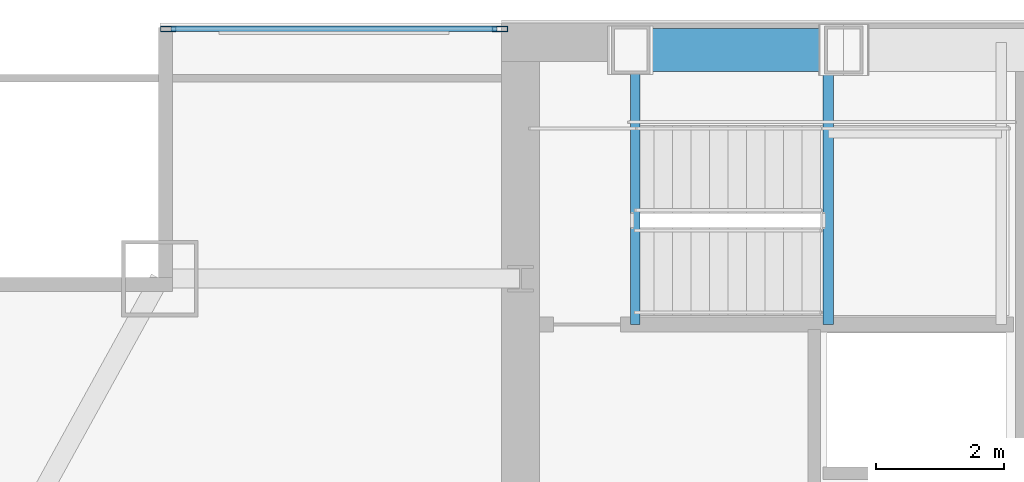
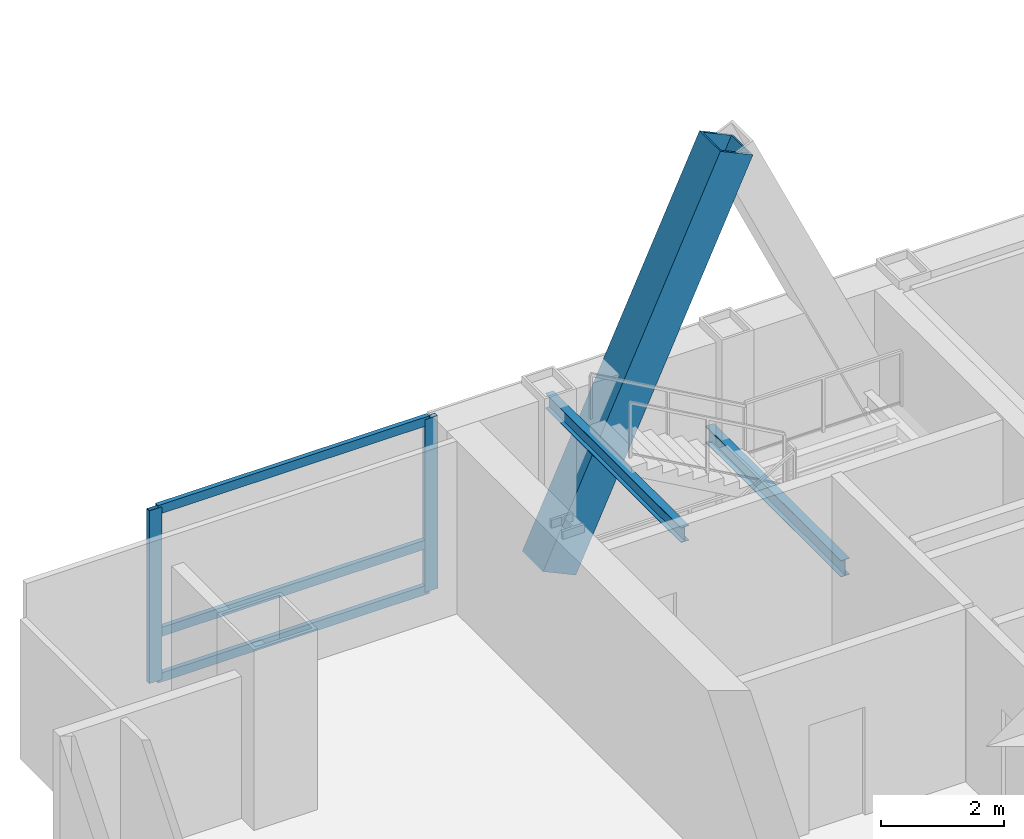
# One storey, part 23 of 32: 6 members, 2 beams, 1 element without a shape of its own.
"""IFC4 building model written with IfcOpenShell, lengths in metres."""

from ifc_helpers import new_model, si_unit, direction, frame, origin, origin_2d, place, context, subcontext, project, spatial, hollow_rectangle, i_section, extrude, material, material_profile, profile_set, type_object, element, aggregate, save


model = new_model("IFC4")

# Units and contexts
model_context = context("Model", 3, precision=1e-05, world=origin(), true_north=direction((0.0, 1.0)))
body_context = subcontext(model_context, "Body", "Model", "MODEL_VIEW")
ifc_project = project(units=[si_unit("LENGTHUNIT", "METRE"), si_unit("AREAUNIT", "SQUARE_METRE"), si_unit("VOLUMEUNIT", "CUBIC_METRE"), si_unit("PLANEANGLEUNIT", "RADIAN"), si_unit("MASSUNIT", "GRAM", prefix="KILO")], contexts=[model_context])

# Site, building, storey
site_placement = place(None, origin())
site = spatial("IfcSite", under=ifc_project, at=site_placement, CompositionType="ELEMENT")
building_placement = place(site_placement, origin())
building = spatial("IfcBuilding", under=site, at=building_placement, Name="Khoronbel Lancet Exchange", CompositionType="ELEMENT")
storey_placement = place(building_placement, frame((0.0, 0.0, 231.800048828125)))
storey = spatial("IfcBuildingStorey", under=building, at=storey_placement, Name="L59", CompositionType="ELEMENT", Elevation=231.800048828125)

# Beams
ifc_material_1 = material(Name="Steel S355", Category="steel")
ifc_material_profile_1 = material_profile(ifc_material_1, i_section(OverallWidth=0.159912109375, OverallDepth=0.330078125, WebThickness=0.007568359375, FlangeThickness=0.011474609375, at=origin_2d()), Name="IPE 330")
ifc_profile_set_1 = profile_set([ifc_material_profile_1], Name="Steel S355")
beam_type_1 = type_object("IfcBeamType", Name="BM-BJ7", PredefinedType="JOIST", material=ifc_profile_set_1)
beam_1_placement = place(storey_placement, frame((21.320068359375, 48.97998046875, 1.43505859375), z_axis=(0.0, 1.0, 0.0), x_axis=(-1.0, 0.0, 0.0)))
element("IfcBeam", 1, at=beam_1_placement, inside=storey, type_object=beam_type_1, Name="Level L59 stair ST1 landing bearer beam 1", PredefinedType="JOIST", context=body_context, shape_type="SweptSolid", body=[
    extrude(i_section(OverallWidth=0.159912109375, OverallDepth=0.330078125, WebThickness=0.007568359375, FlangeThickness=0.011474609375, at=origin_2d()), origin(), (0.0, 0.0, 1.0), 4.419921875),
])
ifc_material_profile_2 = material_profile(ifc_material_1, i_section(OverallWidth=0.14990234375, OverallDepth=0.300048828125, WebThickness=0.007080078125, FlangeThickness=0.0107421875, at=origin_2d()), Name="IPE 300")
ifc_profile_set_2 = profile_set([ifc_material_profile_2], Name="Steel S355")
beam_type_2 = type_object("IfcBeamType", Name="BM-BJ8", PredefinedType="JOIST", material=ifc_profile_set_2)
beam_2_placement = place(storey_placement, frame((18.300048828125, 48.97998046875, 3.159912109375), z_axis=(0.0, 1.0, 0.0), x_axis=(-1.0, 0.0, 0.0)))
element("IfcBeam", 2, at=beam_2_placement, inside=storey, type_object=beam_type_2, Name="Level L59 stair ST1 upper-flight arrival trimmer beam", PredefinedType="JOIST", context=body_context, shape_type="SweptSolid", body=[
    extrude(i_section(OverallWidth=0.14990234375, OverallDepth=0.300048828125, WebThickness=0.007080078125, FlangeThickness=0.0107421875, at=origin_2d()), origin(), (0.0, 0.0, 1.0), 4.419921875),
])

# Curtain wall, members
ifc_material_2 = material(Name="Low-E Solar Control Insulating Glass", Category="glass")
curtain_wall_type = type_object("IfcCurtainWallType", Name="CW-3", PredefinedType="NOTDEFINED", material=ifc_material_2)
curtain_wall_placement = place(storey_placement, origin())
curtain_wall = element("IfcCurtainWall", 3, at=curtain_wall_placement, inside=storey, type_object=curtain_wall_type, Name="Unitised curtain wall CW-L59-NWFLK", PredefinedType="NOTDEFINED")
ifc_material_3 = material(Name="Bronze-Anodised Aluminium 6063-T6", Category="aluminium")
ifc_material_profile_3 = material_profile(ifc_material_3, hollow_rectangle(XDim=0.0849609375, YDim=0.239990234375, WallThickness=0.006103515625, at=origin_2d()), Name="ALU MULLION 85x240")
ifc_profile_set_3 = profile_set([ifc_material_profile_3], Name="Bronze-Anodised Aluminium 6063-T6")
member_type_1 = type_object("IfcMemberType", Name="MEM-CWM1", PredefinedType="MULLION", material=ifc_profile_set_3)
member_1_placement = place(storey_placement, frame((16.177490234375, 53.610107421875, 0.0), z_axis=(0.0, 0.0, 1.0), x_axis=(0.0, -1.0, 0.0)))
member_1 = element("IfcMember", 4, at=member_1_placement, type_object=member_type_1, Name="CW3 mullion 1", PredefinedType="MULLION", context=body_context, shape_type="SweptSolid", body=[
    extrude(hollow_rectangle(XDim=0.0849609375, YDim=0.239990234375, WallThickness=0.006103515625, at=origin_2d()), origin(), (0.0, 0.0, 1.0), 3.43994140625),
])
member_2_placement = place(storey_placement, frame((10.982421875, 53.610107421875, 0.0), z_axis=(0.0, 0.0, 1.0), x_axis=(0.0, -1.0, 0.0)))
member_2 = element("IfcMember", 5, at=member_2_placement, type_object=member_type_1, Name="CW3 mullion 2", PredefinedType="MULLION", context=body_context, shape_type="SweptSolid", body=[
    extrude(hollow_rectangle(XDim=0.0849609375, YDim=0.239990234375, WallThickness=0.006103515625, at=origin_2d()), origin(), (0.0, 0.0, 1.0), 3.43994140625),
])
ifc_material_profile_4 = material_profile(ifc_material_3, hollow_rectangle(XDim=0.0849609375, YDim=0.179931640625, WallThickness=0.0048828125, at=origin_2d()), Name="ALU TRANSOM 85x180")
ifc_profile_set_4 = profile_set([ifc_material_profile_4], Name="Bronze-Anodised Aluminium 6063-T6")
member_type_2 = type_object("IfcMemberType", Name="MEM-CWT1", PredefinedType="USERDEFINED", material=ifc_profile_set_4)
member_3_placement = place(storey_placement, frame((16.135009765625, 53.610107421875, 0.04248046875), z_axis=(-1.0, 0.0, 0.0), x_axis=(0.0, -1.0, 0.0)))
member_3 = element("IfcMember", 6, at=member_3_placement, type_object=member_type_2, Name="CW3 transom 1.1", ObjectType="TRANSOM", PredefinedType="USERDEFINED", context=body_context, shape_type="SweptSolid", body=[
    extrude(hollow_rectangle(XDim=0.0849609375, YDim=0.179931640625, WallThickness=0.0048828125, at=origin_2d()), origin(), (0.0, 0.0, 1.0), 5.110107421875),
])
member_4_placement = place(storey_placement, frame((16.135009765625, 53.610107421875, 0.949951171875), z_axis=(-1.0, 0.0, 0.0), x_axis=(0.0, -1.0, 0.0)))
member_4 = element("IfcMember", 7, at=member_4_placement, type_object=member_type_2, Name="CW3 transom 1.2", ObjectType="TRANSOM", PredefinedType="USERDEFINED", context=body_context, shape_type="SweptSolid", body=[
    extrude(hollow_rectangle(XDim=0.0849609375, YDim=0.179931640625, WallThickness=0.0048828125, at=origin_2d()), origin(), (0.0, 0.0, 1.0), 5.110107421875),
])
member_5_placement = place(storey_placement, frame((16.135009765625, 53.610107421875, 3.3974609375), z_axis=(-1.0, 0.0, 0.0), x_axis=(0.0, -1.0, 0.0)))
member_5 = element("IfcMember", 8, at=member_5_placement, type_object=member_type_2, Name="CW3 transom 1.3", ObjectType="TRANSOM", PredefinedType="USERDEFINED", context=body_context, shape_type="SweptSolid", body=[
    extrude(hollow_rectangle(XDim=0.0849609375, YDim=0.179931640625, WallThickness=0.0048828125, at=origin_2d()), origin(), (0.0, 0.0, 1.0), 5.110107421875),
])
aggregate(curtain_wall, [member_1, member_2, member_3, member_4, member_5])

# Member
ifc_material_4 = material(Name="Steel S460", Category="steel")
ifc_material_profile_5 = material_profile(ifc_material_4, hollow_rectangle(XDim=0.679931640625, YDim=0.679931640625, WallThickness=0.044921875, at=origin_2d()), Name="BOX 680x680x45")
ifc_profile_set_5 = profile_set([ifc_material_profile_5], Name="Steel S460")
member_type_3 = type_object("IfcMemberType", Name="MEM-MB3", PredefinedType="BRACE", material=ifc_profile_set_5)
member_6_placement = place(storey_placement, frame((18.22509765625, 53.280029296875, 0.0), z_axis=(0.420548106082, 0.0, 0.907270241147), x_axis=(0.0, 1.0, 0.0)))
element("IfcMember", 9, at=member_6_placement, inside=storey, type_object=member_type_3, Name="Perimeter lancet brace tier 20 N-W-L", PredefinedType="BRACE", context=body_context, shape_type="SweptSolid", body=[
    extrude(hollow_rectangle(XDim=0.679931640625, YDim=0.679931640625, WallThickness=0.044921875, at=origin_2d()), origin(), (0.0, 0.0, 1.0), 7.935791015625),
])

save(model, "model.ifc")
